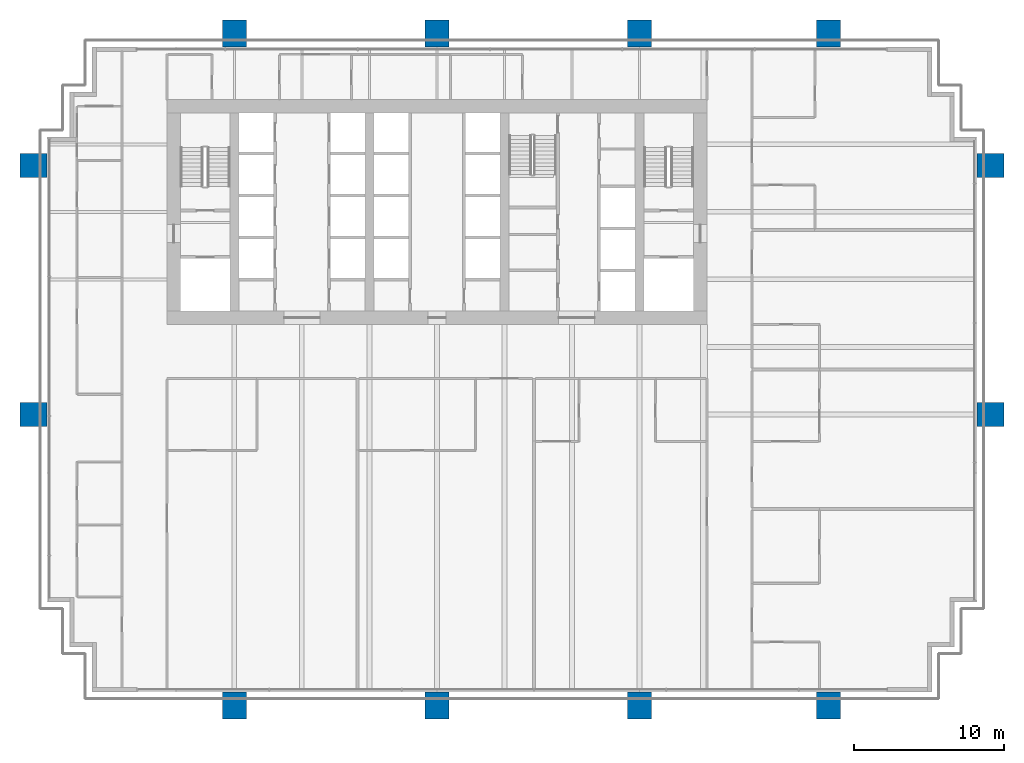
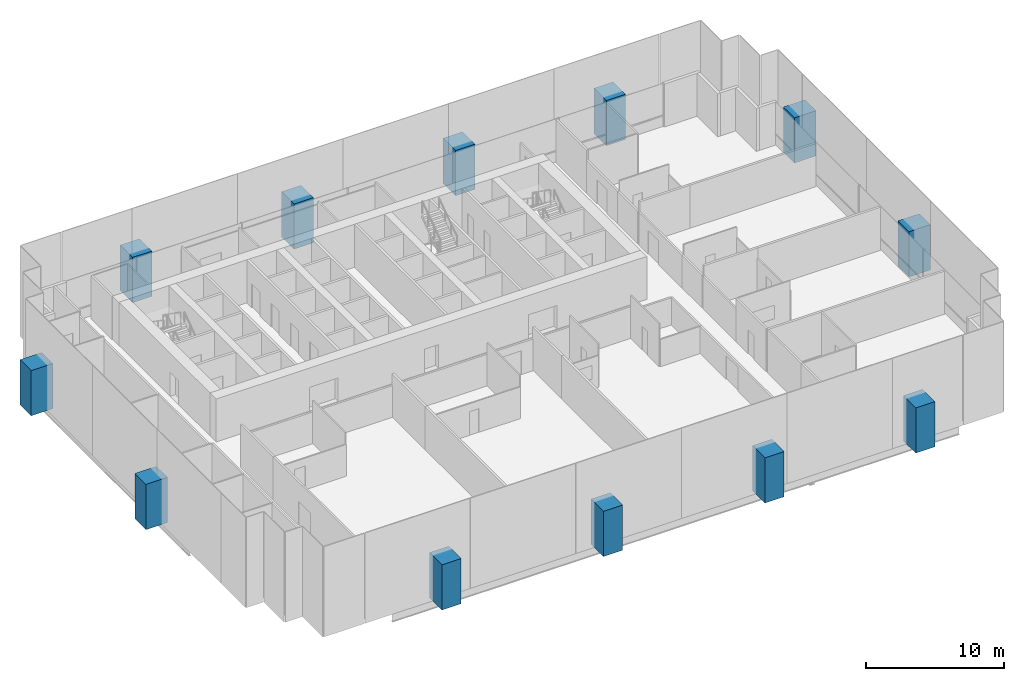
# One storey, part 1 of 19: 12 columns.
"""IFC4 building model written with IfcOpenShell, lengths in metres."""

from ifc_helpers import new_model, si_unit, direction, frame, origin, origin_2d, place, context, subcontext, project, spatial, rectangle, extrude, material, material_profile, profile_set, type_object, element, save


model = new_model("IFC4")

# Units and contexts
model_context = context("Model", 3, precision=1e-05, world=origin(), true_north=direction((0.0, 1.0)))
body_context = subcontext(model_context, "Body", "Model", "MODEL_VIEW")
ifc_project = project(units=[si_unit("LENGTHUNIT", "METRE"), si_unit("AREAUNIT", "SQUARE_METRE"), si_unit("VOLUMEUNIT", "CUBIC_METRE"), si_unit("PLANEANGLEUNIT", "RADIAN"), si_unit("MASSUNIT", "GRAM", prefix="KILO")], contexts=[model_context])

# Site, building, storey
site_placement = place(None, origin())
site = spatial("IfcSite", under=ifc_project, at=site_placement, CompositionType="ELEMENT")
building_placement = place(site_placement, origin())
building = spatial("IfcBuilding", under=site, at=building_placement, Name="Rattan Terrace Tower", CompositionType="ELEMENT")
storey_placement = place(building_placement, frame((0.0, 0.0, 103.699951171875)))
storey = spatial("IfcBuildingStorey", under=building, at=storey_placement, Name="L23", CompositionType="ELEMENT", Elevation=103.699951171875)

# Columns
ifc_material = material(Name="Concrete C60/75", Category="concrete")
ifc_material_profile = material_profile(ifc_material, rectangle(XDim=1.60009765625, YDim=1.800048828125, at=origin_2d()), Name="CFT 1800x1600")
ifc_profile_set = profile_set([ifc_material_profile], Name="Concrete C60/75")
column_type = type_object("IfcColumnType", Name="Frame exoskeleton column CFT 1800x1600", PredefinedType="COLUMN", material=ifc_profile_set)
for number, where, z_axis, x_axis, name in (
    (1, (-13.5, -32.89990234375, -0.199951171875), (0.0, 0.0, 1.0), (1.0, 0.0, 0.0), "exo-L23-001"),
    (2, (0.0, -32.89990234375, -0.199951171875), (0.0, 0.0, 1.0), (1.0, 0.0, 0.0), "exo-L23-002"),
    (3, (13.5, -32.89990234375, -0.199951171875), (0.0, 0.0, 1.0), (1.0, 0.0, 0.0), "exo-L23-003"),
    (4, (26.10009765625, -32.89990234375, -0.199951171875), (0.0, 0.0, 1.0), (1.0, 0.0, 0.0), "exo-L23-004"),
    (5, (-26.89990234375, -13.5, -0.199951171875), (0.0, 0.0, 1.0), (0.0, 1.0, 0.0), "exo-L23-005"),
    (6, (36.89990234375, -13.5, -0.199951171875), (0.0, 0.0, 1.0), (0.0, 1.0, 0.0), "exo-L23-006"),
    (7, (-26.89990234375, 3.10009765625, -0.199951171875), (0.0, 0.0, 1.0), (0.0, 1.0, 0.0), "exo-L23-007"),
    (8, (36.89990234375, 3.10009765625, -0.199951171875), (0.0, 0.0, 1.0), (0.0, 1.0, 0.0), "exo-L23-008"),
    (9, (-13.5, 11.89990234375, -0.199951171875), (0.0, 0.0, 1.0), (1.0, 0.0, 0.0), "exo-L23-009"),
    (10, (0.0, 11.89990234375, -0.199951171875), (0.0, 0.0, 1.0), (1.0, 0.0, 0.0), "exo-L23-010"),
    (11, (13.5, 11.89990234375, -0.199951171875), (0.0, 0.0, 1.0), (1.0, 0.0, 0.0), "exo-L23-011"),
    (12, (26.10009765625, 11.89990234375, -0.199951171875), (0.0, 0.0, 1.0), (1.0, 0.0, 0.0), "exo-L23-012"),
):
    element("IfcColumn", number, at=place(storey_placement, frame(where, z_axis=z_axis, x_axis=x_axis)), inside=storey, type_object=column_type, Name=name, PredefinedType="COLUMN", context=body_context, shape_type="SweptSolid", body=[
        extrude(rectangle(XDim=1.60009765625, YDim=1.800048828125, at=origin_2d()), origin(), (0.0, 0.0, 1.0), 4.0),
    ])

save(model, "model.ifc")
